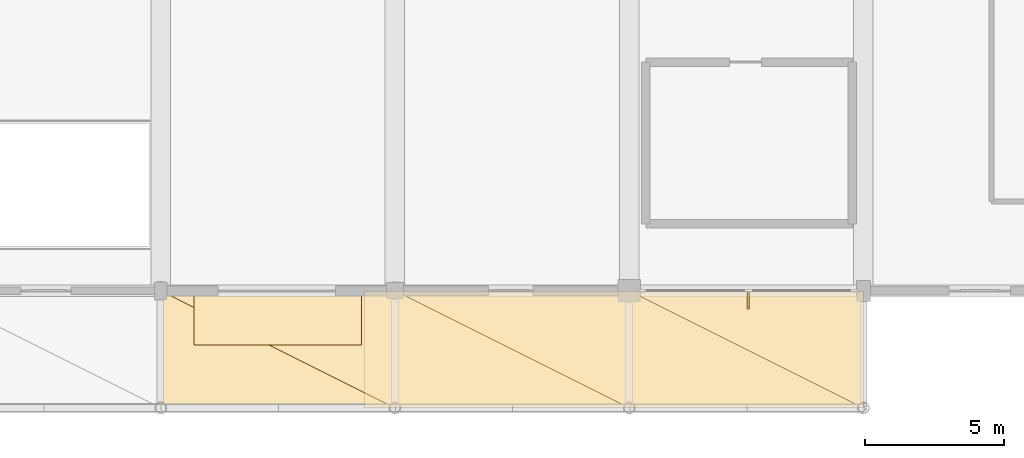
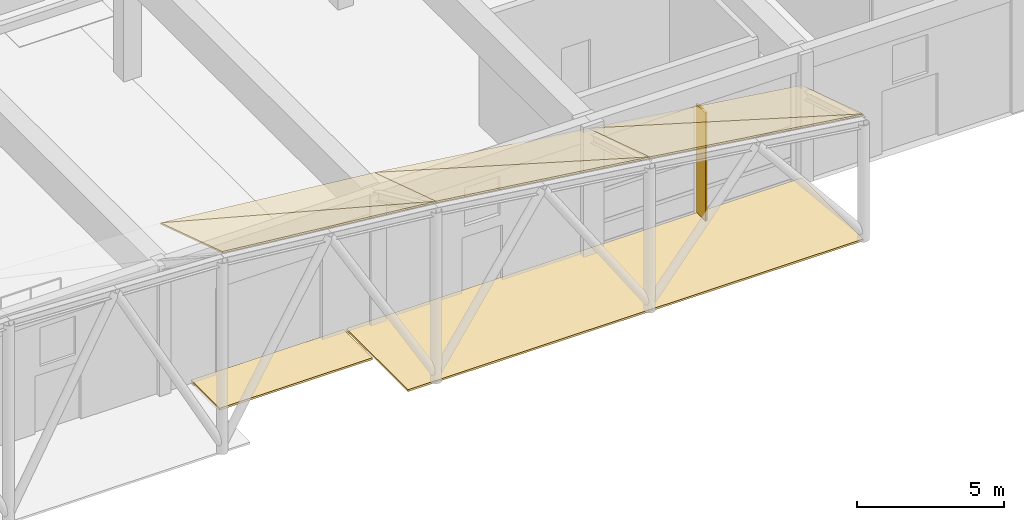
# One storey, part 55 of 62: 8 coverings, 1 shading device.
"""IFC4 building model written with IfcOpenShell, lengths in metres."""

from ifc_helpers import new_model, si_unit, direction, frame, origin, origin_2d, place, context, subcontext, project, spatial, polyline, rectangle, outline, extrude, material, layer, layer_set, type_object, element, save


model = new_model("IFC4")

# Units and contexts
model_context = context("Model", 3, precision=1e-05, world=origin(), true_north=direction((0.0, 1.0)))
body_context = subcontext(model_context, "Body", "Model", "MODEL_VIEW")
ifc_project = project(units=[si_unit("LENGTHUNIT", "METRE"), si_unit("AREAUNIT", "SQUARE_METRE"), si_unit("VOLUMEUNIT", "CUBIC_METRE"), si_unit("PLANEANGLEUNIT", "RADIAN"), si_unit("MASSUNIT", "GRAM", prefix="KILO")], contexts=[model_context])

# Site, building, storey
site_placement = place(None, origin())
site = spatial("IfcSite", under=ifc_project, at=site_placement, CompositionType="ELEMENT")
building_placement = place(site_placement, origin())
building = spatial("IfcBuilding", under=site, at=building_placement, Name="Xuanlan Plaza Opera House", CompositionType="ELEMENT")
storey_placement = place(building_placement, origin())
storey = spatial("IfcBuildingStorey", under=building, at=storey_placement, Name="L00", CompositionType="ELEMENT", Elevation=0.0)

# Coverings
ifc_material_1 = material(Name="Flame-Textured Granite Stone", Category="masonry")
ifc_layer_1 = layer(ifc_material_1, 0.080078125)
ifc_layer_set_1 = layer_set([ifc_layer_1], Name="Flame-Textured Granite Stone")
covering_type_1 = type_object("IfcCoveringType", Name="ENV-COV-PAV01", PredefinedType="USERDEFINED", material=ifc_layer_set_1)
covering_1_placement = place(storey_placement, frame((0.0, 0.0, -0.080078125)))
element("IfcCovering", 1, at=covering_1_placement, inside=storey, type_object=covering_type_1, Name="Civic Plaza Canopy Forecourt Paving PAV-FOY-E", ObjectType="PAVING", PredefinedType="USERDEFINED", context=body_context, shape_type="SweptSolid", body=[
    extrude(outline(polyline([(108.10009765625, -4.199951171875), (126.0, -4.199951171875), (126.0, 0.0), (108.10009765625, 0.0), (108.10009765625, -4.199951171875)])), origin(), (0.0, 0.0, 1.0), 0.080078125),
])
covering_2_placement = place(storey_placement, frame((0.0, 0.0, -0.080078125)))
element("IfcCovering", 2, at=covering_2_placement, inside=storey, type_object=covering_type_1, Name="Vehicle Ramp Exterior Driveway Apron", ObjectType="PAVING", PredefinedType="USERDEFINED", context=body_context, shape_type="SweptSolid", body=[
    extrude(outline(polyline([(102.0, -1.949951171875), (108.0, -1.949951171875), (108.0, 0.0), (102.0, 0.0), (102.0, -1.949951171875)])), origin(), (0.0, 0.0, 1.0), 0.080078125),
])
ifc_material_2 = material(Name="Anodised Aluminium 6063-T6", Category="aluminium")
ifc_layer_2 = layer(ifc_material_2, 0.06005859375)
ifc_layer_set_2 = layer_set([ifc_layer_2], Name="Anodised Aluminium 6063-T6")
covering_type_2 = type_object("IfcCoveringType", Name="ENV-COV-RF01", PredefinedType="ROOFING", material=ifc_layer_set_2)
covering_3_placement = place(storey_placement, frame((100.800048828125, 0.0, 6.949951171875), z_axis=(0.095877871462, 0.30457268102, 0.947651262723), x_axis=(0.994920849619, 0.0, -0.100660334753)))
element("IfcCovering", 3, at=covering_3_placement, inside=storey, type_object=covering_type_2, Name="Grand Plaza Sweeping Arched Canopy Facet 06-1", PredefinedType="ROOFING", context=body_context, shape_type="SweptSolid", body=[
    extrude(outline(polyline([(0.0, 0.0), (8.442784516, 0.0), (8.306907809, -4.409448024), (0.0, 0.0)])), origin(), (0.0, 0.0, -1.0), 0.06005859375),
])
covering_4_placement = place(storey_placement, frame((100.800048828125, 0.0, 6.949951171875), z_axis=(0.095903552184, 0.304621851567, 0.947632859406), x_axis=(0.893162237823, -0.446581118911, 0.053165037001)))
element("IfcCovering", 4, at=covering_4_placement, inside=storey, type_object=covering_type_2, Name="Grand Plaza Sweeping Arched Canopy Facet 06-2", PredefinedType="ROOFING", context=body_context, shape_type="SweptSolid", body=[
    extrude(outline(polyline([(0.0, 0.0), (9.404676987, 0.0), (1.947396886, -3.958534943), (0.0, 0.0)])), origin(), (0.0, 0.0, -1.0), 0.06005859375),
])
covering_5_placement = place(storey_placement, frame((109.199951171875, 0.0, 6.10009765625), z_axis=(0.123720431001, 0.303681255547, 0.94470680636), x_axis=(0.991533268738, 0.0, -0.129852905192)))
element("IfcCovering", 5, at=covering_5_placement, inside=storey, type_object=covering_type_2, Name="Grand Plaza Sweeping Arched Canopy Facet 07-1", PredefinedType="ROOFING", context=body_context, shape_type="SweptSolid", body=[
    extrude(outline(polyline([(0.0, 0.0), (8.471875578, 0.0), (8.296561475, -4.408130952), (0.0, 0.0)])), origin(), (0.0, 0.0, -1.0), 0.06005859375),
])
covering_6_placement = place(storey_placement, frame((109.199951171875, 0.0, 6.10009765625), z_axis=(0.123695456998, 0.303632434825, 0.944725768909), x_axis=(0.894115660854, -0.447044837204, 0.026610121101)))
element("IfcCovering", 6, at=covering_6_placement, inside=storey, type_object=covering_type_2, Name="Grand Plaza Sweeping Arched Canopy Facet 07-2", PredefinedType="ROOFING", context=body_context, shape_type="SweptSolid", body=[
    extrude(outline(polyline([(0.0, 0.0), (9.394921543, 0.0), (1.913486253, -3.974954681), (0.0, 0.0)])), origin(), (0.0, 0.0, -1.0), 0.06005859375),
])
covering_7_placement = place(storey_placement, frame((117.60009765625, 0.0, 5.0), z_axis=(0.12923591874, 0.303416303487, 0.944053295151), x_axis=(0.990759590927, 0.0, -0.13562976438)))
element("IfcCovering", 7, at=covering_7_placement, inside=storey, type_object=covering_type_2, Name="Grand Plaza Sweeping Arched Canopy Facet 08-1", PredefinedType="ROOFING", context=body_context, shape_type="SweptSolid", body=[
    extrude(outline(polyline([(0.0, 0.0), (8.478244794, 0.0), (8.29516448, -4.407740459), (0.0, 0.0)])), origin(), (0.0, 0.0, -1.0), 0.06005859375),
])
covering_8_placement = place(storey_placement, frame((117.60009765625, 0.0, 5.0), z_axis=(0.129260746505, 0.303465051231, 0.944034227184), x_axis=(0.894224536245, -0.447112268122, 0.021286109841)))
element("IfcCovering", 8, at=covering_8_placement, inside=storey, type_object=covering_type_2, Name="Grand Plaza Sweeping Arched Canopy Facet 08-2", PredefinedType="ROOFING", context=body_context, shape_type="SweptSolid", body=[
    extrude(outline(polyline([(0.0, 0.0), (9.393504655, 0.0), (1.906588021, -3.97835087), (0.0, 0.0)])), origin(), (0.0, 0.0, -1.0), 0.06005859375),
])

# Shading device
shading_device_type = type_object("IfcShadingDeviceType", Name="ENV-SHD-BRS01", PredefinedType="JALOUSIE", material=ifc_material_2)
shading_device_placement = place(storey_placement, frame((121.875, -0.324951171875, 0.0400390625), z_axis=(0.0, 0.0, 1.0), x_axis=(0.0, -1.0, 0.0)))
element("IfcShadingDevice", 9, at=shading_device_placement, inside=storey, type_object=shading_device_type, Name="Parametric Sunshade Fin L00-0004", PredefinedType="JALOUSIE", context=body_context, shape_type="SweptSolid", body=[
    extrude(rectangle(XDim=0.639892578125, YDim=0.070068359375, at=origin_2d()), origin(), (0.0, 0.0, 1.0), 4.5),
])

save(model, "model.ifc")
